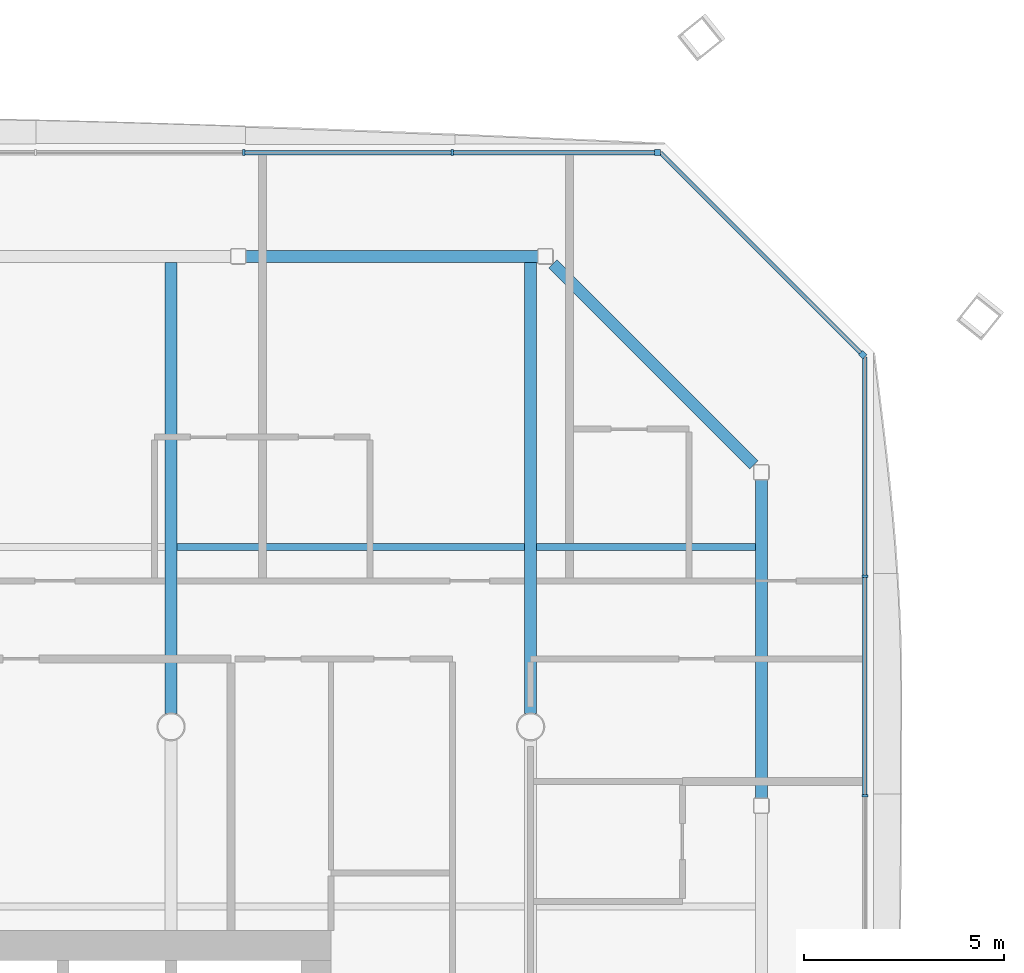
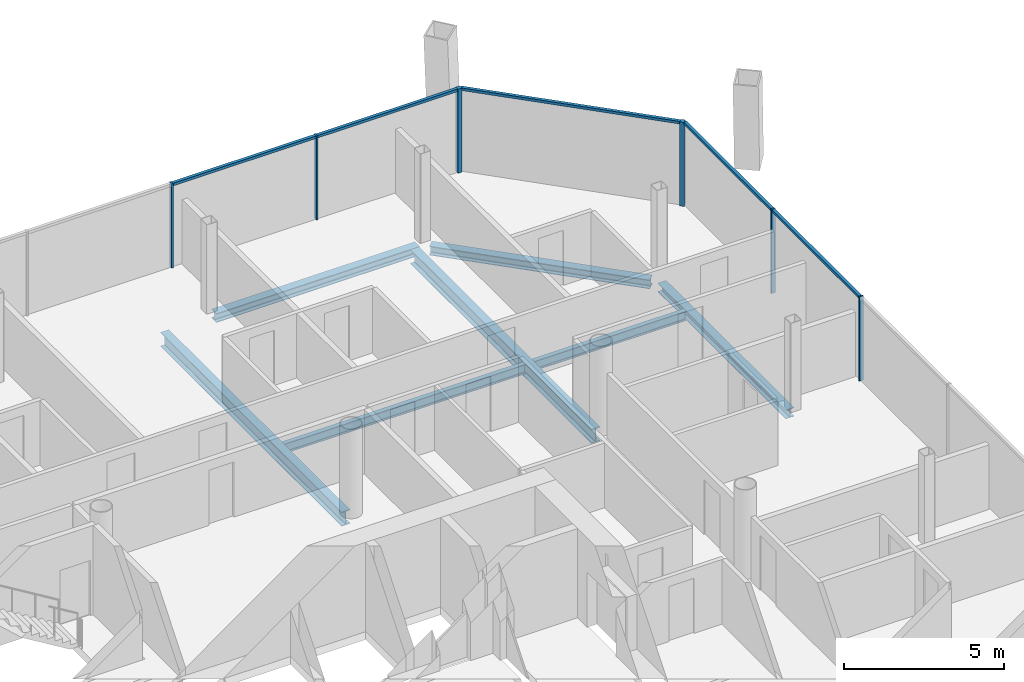
# One storey, part 11 of 22: 11 members, 7 beams, 3 elements without a shape of their own.
"""IFC4 building model written with IfcOpenShell, lengths in metres."""

from ifc_helpers import new_model, si_unit, direction, frame, origin, origin_2d, place, context, subcontext, project, spatial, rectangle, i_section, extrude, material, material_profile, profile_set, type_object, element, aggregate, save


model = new_model("IFC4")

# Units and contexts
model_context = context("Model", 3, precision=1e-05, world=origin(), true_north=direction((0.0, 1.0)))
body_context = subcontext(model_context, "Body", "Model", "MODEL_VIEW")
ifc_project = project(units=[si_unit("LENGTHUNIT", "METRE"), si_unit("AREAUNIT", "SQUARE_METRE"), si_unit("VOLUMEUNIT", "CUBIC_METRE"), si_unit("PLANEANGLEUNIT", "RADIAN"), si_unit("MASSUNIT", "GRAM", prefix="KILO")], contexts=[model_context])

# Site, building, storey
site_placement = place(None, origin())
site = spatial("IfcSite", under=ifc_project, at=site_placement, CompositionType="ELEMENT")
building_placement = place(site_placement, origin())
building = spatial("IfcBuilding", under=site, at=building_placement, Name="Tskaro Facet Tower", CompositionType="ELEMENT")
storey_placement = place(building_placement, frame((0.0, 0.0, 124.89990234375)))
storey = spatial("IfcBuildingStorey", under=building, at=storey_placement, Name="L29", CompositionType="ELEMENT", Elevation=124.89990234375)

# Curtain wall, member
ifc_material_1 = material(Name="Bronze anodised aluminium 6063-T6", Category="aluminium")
curtain_wall_type = type_object("IfcCurtainWallType", Name="Bronze hotel curtain wall (FW2)", PredefinedType="NOTDEFINED", material=ifc_material_1)
curtain_wall_1_placement = place(storey_placement, origin())
curtain_wall_1 = element("IfcCurtainWall", 1, at=curtain_wall_1_placement, inside=storey, type_object=curtain_wall_type, Name="FW2 north-east facet L29", PredefinedType="NOTDEFINED")
ifc_material_profile_1 = material_profile(ifc_material_1, rectangle(XDim=0.14990234375, YDim=0.14990234375, at=origin_2d()), Name="Corner post 150x150")
ifc_profile_set_1 = profile_set([ifc_material_profile_1], Name="Bronze anodised aluminium 6063-T6")
member_type_1 = type_object("IfcMemberType", Name="FW2 bronze corner post 150x150", PredefinedType="MULLION", material=ifc_profile_set_1)
member_1_placement = place(storey_placement, frame((26.31396484375, 18.30615234375, 0.0), z_axis=(0.0, 0.0, 1.0), x_axis=(-0.707106781187, 0.707106781187, 0.0)))
member_1 = element("IfcMember", 2, at=member_1_placement, type_object=member_type_1, Name="FW2 north-east corner post", PredefinedType="MULLION", context=body_context, shape_type="SweptSolid", body=[
    extrude(rectangle(XDim=0.14990234375, YDim=0.14990234375, at=origin_2d()), origin(), (0.0, 0.0, 1.0), 3.2001953125),
])

curtain_wall_2_placement = place(storey_placement, origin())
curtain_wall_2 = element("IfcCurtainWall", 3, at=curtain_wall_2_placement, inside=storey, type_object=curtain_wall_type, Name="FW2 north facet L29", PredefinedType="NOTDEFINED")
member_2_placement = place(storey_placement, frame((21.177978515625, 23.366943359375, 0.0), z_axis=(0.0, 0.0, 1.0), x_axis=(-1.0, 0.0, 0.0)))
member_2 = element("IfcMember", 4, at=member_2_placement, type_object=member_type_1, Name="FW2 north corner post", PredefinedType="MULLION", context=body_context, shape_type="SweptSolid", body=[
    extrude(rectangle(XDim=0.14990234375, YDim=0.14990234375, at=origin_2d()), origin(), (0.0, 0.0, 1.0), 3.2001953125),
])

# Curtain wall, members
curtain_wall_3_placement = place(storey_placement, origin())
curtain_wall_3 = element("IfcCurtainWall", 5, at=curtain_wall_3_placement, inside=storey, type_object=curtain_wall_type, Name="FW2 east facet L29", PredefinedType="NOTDEFINED")
ifc_material_profile_2 = material_profile(ifc_material_1, rectangle(XDim=0.06005859375, YDim=0.14990234375, at=origin_2d()), Name="Mullion 60x150")
ifc_profile_set_2 = profile_set([ifc_material_profile_2], Name="Bronze anodised aluminium 6063-T6")
member_type_2 = type_object("IfcMemberType", Name="FW2 bronze mullion 60x150", PredefinedType="MULLION", material=ifc_profile_set_2)
member_3_placement = place(storey_placement, frame((26.366943359375, 7.276123046875, 0.0), z_axis=(0.0, 0.0, 1.0), x_axis=(0.0, 1.0, 0.0)))
member_3 = element("IfcMember", 6, at=member_3_placement, type_object=member_type_2, Name="FW2 east mullion 5", PredefinedType="MULLION", context=body_context, shape_type="SweptSolid", body=[
    extrude(rectangle(XDim=0.06005859375, YDim=0.14990234375, at=origin_2d()), origin(), (0.0, 0.0, 1.0), 3.2001953125),
])
member_4_placement = place(storey_placement, frame((26.366943359375, 12.7646484375, 0.0), z_axis=(0.0, 0.0, 1.0), x_axis=(0.0, 1.0, 0.0)))
member_4 = element("IfcMember", 7, at=member_4_placement, type_object=member_type_2, Name="FW2 east mullion 6", PredefinedType="MULLION", context=body_context, shape_type="SweptSolid", body=[
    extrude(rectangle(XDim=0.06005859375, YDim=0.14990234375, at=origin_2d()), origin(), (0.0, 0.0, 1.0), 3.2001953125),
])

# Member
member_5_placement = place(storey_placement, frame((16.037841796875, 23.366943359375, 0.0), z_axis=(0.0, 0.0, 1.0), x_axis=(-1.0, 0.0, 0.0)))
member_5 = element("IfcMember", 8, at=member_5_placement, type_object=member_type_2, Name="FW2 north mullion 1", PredefinedType="MULLION", context=body_context, shape_type="SweptSolid", body=[
    extrude(rectangle(XDim=0.06005859375, YDim=0.14990234375, at=origin_2d()), origin(), (0.0, 0.0, 1.0), 3.2001953125),
])

member_6_placement = place(storey_placement, frame((10.82275390625, 23.366943359375, 0.0), z_axis=(0.0, 0.0, 1.0), x_axis=(-1.0, 0.0, 0.0)))
member_6 = element("IfcMember", 9, at=member_6_placement, type_object=member_type_2, Name="FW2 north mullion 2", PredefinedType="MULLION", context=body_context, shape_type="SweptSolid", body=[
    extrude(rectangle(XDim=0.06005859375, YDim=0.14990234375, at=origin_2d()), origin(), (0.0, 0.0, 1.0), 3.2001953125),
])

ifc_material_profile_3 = material_profile(ifc_material_1, rectangle(XDim=0.110107421875, YDim=0.10009765625, at=origin_2d()), Name="Transom 110x100")
ifc_profile_set_3 = profile_set([ifc_material_profile_3], Name="Bronze anodised aluminium 6063-T6")
member_type_3 = type_object("IfcMemberType", Name="FW2 bronze transom 110x100", PredefinedType="USERDEFINED", material=ifc_profile_set_3)
member_7_placement = place(storey_placement, frame((26.366943359375, 7.30615234375, 3.150146484375), z_axis=(0.0, 1.0, 0.0), x_axis=(-1.0, 0.0, 0.0)))
member_7 = element("IfcMember", 10, at=member_7_placement, type_object=member_type_3, Name="FW2 east transom 6.1", ObjectType="TRANSOM", PredefinedType="USERDEFINED", context=body_context, shape_type="SweptSolid", body=[
    extrude(rectangle(XDim=0.110107421875, YDim=0.10009765625, at=origin_2d()), origin(), (0.0, 0.0, 1.0), 5.428466796875),
])

member_8_placement = place(storey_placement, frame((26.366943359375, 12.794677734375, 3.150146484375), z_axis=(0.0, 1.0, 0.0), x_axis=(-1.0, 0.0, 0.0)))
member_8 = element("IfcMember", 11, at=member_8_placement, type_object=member_type_3, Name="FW2 east transom 7.1", ObjectType="TRANSOM", PredefinedType="USERDEFINED", context=body_context, shape_type="SweptSolid", body=[
    extrude(rectangle(XDim=0.110107421875, YDim=0.10009765625, at=origin_2d()), origin(), (0.0, 0.0, 1.0), 5.458251953125),
])

aggregate(curtain_wall_3, [member_3, member_4, member_7, member_8])

member_9_placement = place(storey_placement, frame((26.260986328125, 18.359130859375, 3.150146484375), z_axis=(-0.707124016974, 0.707089544979, 0.0), x_axis=(-0.707089544979, -0.707124016974, 0.0)))
member_9 = element("IfcMember", 12, at=member_9_placement, type_object=member_type_3, Name="FW2 north-east transom 1.1", ObjectType="TRANSOM", PredefinedType="USERDEFINED", context=body_context, shape_type="SweptSolid", body=[
    extrude(rectangle(XDim=0.110107421875, YDim=0.10009765625, at=origin_2d()), origin(), (0.0, 0.0, 1.0), 7.082275390625),
])

aggregate(curtain_wall_1, [member_1, member_9])

member_10_placement = place(storey_placement, frame((21.10302734375, 23.366943359375, 3.150146484375), z_axis=(-1.0, 0.0, 0.0), x_axis=(0.0, -1.0, 0.0)))
member_10 = element("IfcMember", 13, at=member_10_placement, type_object=member_type_3, Name="FW2 north transom 1.1", ObjectType="TRANSOM", PredefinedType="USERDEFINED", context=body_context, shape_type="SweptSolid", body=[
    extrude(rectangle(XDim=0.110107421875, YDim=0.10009765625, at=origin_2d()), origin(), (0.0, 0.0, 1.0), 5.03515625),
])

member_11_placement = place(storey_placement, frame((16.0078125, 23.366943359375, 3.150146484375), z_axis=(-1.0, 0.0, 0.0), x_axis=(0.0, -1.0, 0.0)))
member_11 = element("IfcMember", 14, at=member_11_placement, type_object=member_type_3, Name="FW2 north transom 2.1", ObjectType="TRANSOM", PredefinedType="USERDEFINED", context=body_context, shape_type="SweptSolid", body=[
    extrude(rectangle(XDim=0.110107421875, YDim=0.10009765625, at=origin_2d()), origin(), (0.0, 0.0, 1.0), 5.155029296875),
])

aggregate(curtain_wall_2, [member_2, member_5, member_6, member_10, member_11])

# Beams
ifc_material_2 = material(Name="Steel S355J2", Category="steel")
ifc_material_profile_4 = material_profile(ifc_material_2, i_section(OverallWidth=0.300048828125, OverallDepth=0.340087890625, WebThickness=0.011962890625, FlangeThickness=0.021484375, FilletRadius=0.027099609375, at=origin_2d()), Name="HE 340 B")
ifc_profile_set_4 = profile_set([ifc_material_profile_4], Name="Steel S355J2")
beam_type_1 = type_object("IfcBeamType", Name="HE 340 B ring beam", PredefinedType="BEAM", material=ifc_profile_set_4)
beam_1_placement = place(storey_placement, frame((23.77392578125, 7.2060546875, -0.309814453125), z_axis=(0.0, 1.0, 0.0), x_axis=(-1.0, 0.0, 0.0)))
element("IfcBeam", 15, at=beam_1_placement, inside=storey, type_object=beam_type_1, Name="HE 340 B EB9-3", PredefinedType="BEAM", context=body_context, shape_type="SweptSolid", body=[
    extrude(i_section(OverallWidth=0.300048828125, OverallDepth=0.340087890625, WebThickness=0.011962890625, FlangeThickness=0.021484375, FilletRadius=0.027099609375, at=origin_2d()), origin(), (0.0, 0.0, 1.0), 7.98193359375),
])
beam_2_placement = place(storey_placement, frame((23.588134765625, 15.553955078125, -0.309814453125), z_axis=(-0.707106781187, 0.707106781187, 0.0), x_axis=(-0.707106781187, -0.707106781187, 0.0)))
element("IfcBeam", 16, at=beam_2_placement, inside=storey, type_object=beam_type_1, Name="HE 340 B EB10-3", PredefinedType="BEAM", context=body_context, shape_type="SweptSolid", body=[
    extrude(i_section(OverallWidth=0.300048828125, OverallDepth=0.340087890625, WebThickness=0.011962890625, FlangeThickness=0.021484375, FilletRadius=0.027099609375, at=origin_2d()), origin(), (0.0, 0.0, 1.0), 7.119384765625),
])
beam_3_placement = place(storey_placement, frame((18.18798828125, 20.77392578125, -0.309814453125), z_axis=(-1.0, 0.0, 0.0), x_axis=(0.0, -1.0, 0.0)))
element("IfcBeam", 17, at=beam_3_placement, inside=storey, type_object=beam_type_1, Name="HE 340 B EB11-3", PredefinedType="BEAM", context=body_context, shape_type="SweptSolid", body=[
    extrude(i_section(OverallWidth=0.300048828125, OverallDepth=0.340087890625, WebThickness=0.011962890625, FlangeThickness=0.021484375, FilletRadius=0.027099609375, at=origin_2d()), origin(), (0.0, 0.0, 1.0), 7.323974609375),
])
ifc_material_profile_5 = material_profile(ifc_material_2, i_section(OverallWidth=0.300048828125, OverallDepth=0.5400390625, WebThickness=0.012451171875, FlangeThickness=0.02392578125, FilletRadius=0.027099609375, at=origin_2d()), Name="HE 550 A")
ifc_profile_set_5 = profile_set([ifc_material_profile_5], Name="Steel S355J2")
beam_type_2 = type_object("IfcBeamType", Name="HE 550 A long girder", PredefinedType="BEAM", material=ifc_profile_set_5)
for number, where, z_axis, x_axis, name in (
    (18, (9.0, 9.325439453125, -0.409912109375), (0.0, 1.0, 0.0), (-1.0, 0.0, 0.0), "HE 550 A LGB5-3-3"),
    (19, (18.0, 9.325439453125, -0.409912109375), (0.0, 1.0, 0.0), (-1.0, 0.0, 0.0), "HE 550 A LGB6-4-3"),
):
    element("IfcBeam", number, at=place(storey_placement, frame(where, z_axis=z_axis, x_axis=x_axis)), inside=storey, type_object=beam_type_2, Name=name, PredefinedType="BEAM", context=body_context, shape_type="SweptSolid", body=[
        extrude(i_section(OverallWidth=0.300048828125, OverallDepth=0.5400390625, WebThickness=0.012451171875, FlangeThickness=0.02392578125, FilletRadius=0.027099609375, at=origin_2d()), origin(), (0.0, 0.0, 1.0), 11.298583984375),
    ])
ifc_material_profile_6 = material_profile(ifc_material_2, i_section(OverallWidth=0.169921875, OverallDepth=0.360107421875, WebThickness=0.008056640625, FlangeThickness=0.0126953125, FilletRadius=0.01806640625, at=origin_2d()), Name="IPE 360")
ifc_profile_set_6 = profile_set([ifc_material_profile_6], Name="Steel S355J2")
beam_type_3 = type_object("IfcBeamType", Name="IPE 360 secondary beam", PredefinedType="BEAM", material=ifc_profile_set_6)
beam_4_placement = place(storey_placement, frame((9.14990234375, 13.5, -0.31982421875), z_axis=(1.0, 0.0, 0.0), x_axis=(0.0, 1.0, 0.0)))
element("IfcBeam", 20, at=beam_4_placement, inside=storey, type_object=beam_type_3, Name="IPE 360 SB5a-4-3", PredefinedType="BEAM", context=body_context, shape_type="SweptSolid", body=[
    extrude(i_section(OverallWidth=0.169921875, OverallDepth=0.360107421875, WebThickness=0.008056640625, FlangeThickness=0.0126953125, FilletRadius=0.01806640625, at=origin_2d()), origin(), (0.0, 0.0, 1.0), 8.7001953125),
])
beam_5_placement = place(storey_placement, frame((18.14990234375, 13.5, -0.31982421875), z_axis=(1.0, 0.0, 0.0), x_axis=(0.0, 1.0, 0.0)))
element("IfcBeam", 21, at=beam_5_placement, inside=storey, type_object=beam_type_3, Name="IPE 360 SB5a-5-3", PredefinedType="BEAM", context=body_context, shape_type="SweptSolid", body=[
    extrude(i_section(OverallWidth=0.169921875, OverallDepth=0.360107421875, WebThickness=0.008056640625, FlangeThickness=0.0126953125, FilletRadius=0.01806640625, at=origin_2d()), origin(), (0.0, 0.0, 1.0), 5.47412109375),
])

save(model, "model.ifc")
